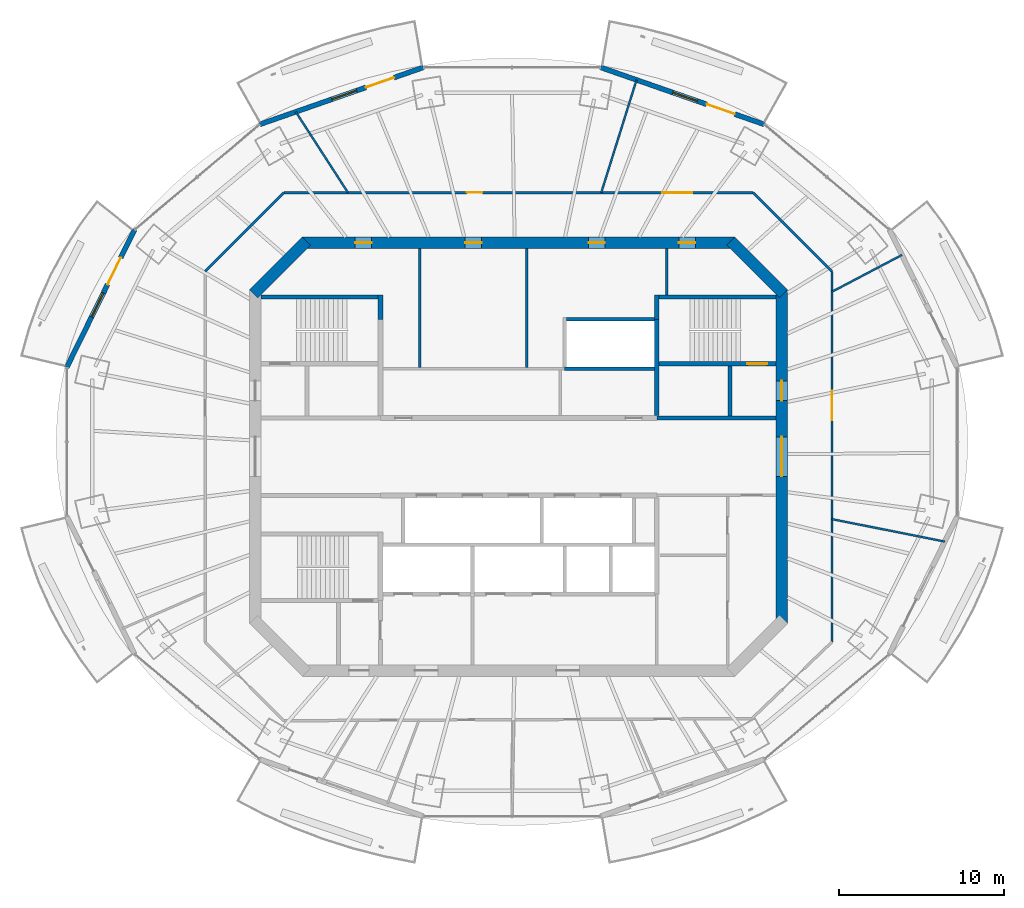
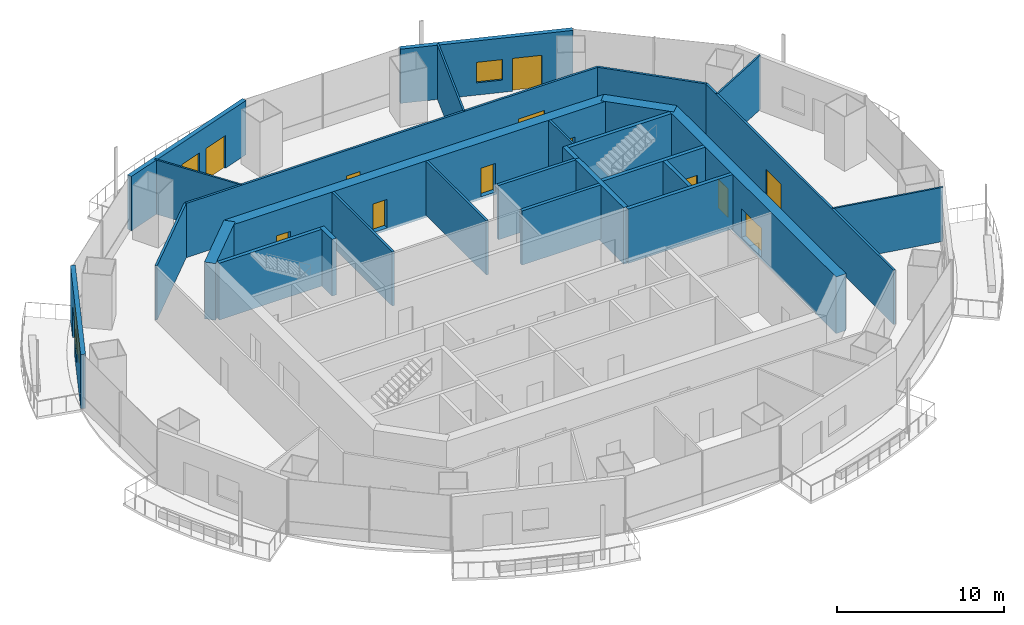
# One storey, part 10 of 16: 28 walls, 13 doors, 3 windows, 16 openings.
"""IFC4 building model written with IfcOpenShell, lengths in metres."""

from ifc_helpers import new_model, si_unit, direction, frame, frame_2d, origin, place, context, subcontext, project, spatial, rectangle, extrude, material, layer, layer_set, type_object, element, fill, save


model = new_model("IFC4")

# Units and contexts
model_context = context("Model", 3, precision=1e-05, world=origin(), true_north=direction((0.0, 1.0)))
body_context = subcontext(model_context, "Body", "Model", "MODEL_VIEW")
ifc_project = project(units=[si_unit("LENGTHUNIT", "METRE"), si_unit("AREAUNIT", "SQUARE_METRE"), si_unit("VOLUMEUNIT", "CUBIC_METRE"), si_unit("PLANEANGLEUNIT", "RADIAN"), si_unit("MASSUNIT", "GRAM", prefix="KILO")], contexts=[model_context])

# Site, building, storey
site_placement = place(None, origin())
site = spatial("IfcSite", under=ifc_project, at=site_placement, CompositionType="ELEMENT")
building_placement = place(site_placement, origin())
building = spatial("IfcBuilding", under=site, at=building_placement, Name="Marenthal Gate Tower", CompositionType="ELEMENT")
storey_placement = place(building_placement, frame((0.0, 0.0, 330.14990234375)))
storey = spatial("IfcBuildingStorey", under=building, at=storey_placement, Name="L74", CompositionType="ELEMENT", Elevation=330.14990234375)

# Wall, openings, doors
ifc_material_1 = material(Name="Concrete 60 MPa", Category="concrete")
ifc_layer_1 = layer(ifc_material_1, 0.699951171875)
ifc_layer_set_1 = layer_set([ifc_layer_1], Name="Core shear wall 700")
wall_type_1 = type_object("IfcWallType", Name="Core shear wall 700", PredefinedType="SHEAR", material=ifc_layer_set_1)
wall_1_placement = place(storey_placement, frame((16.0, -10.14501953125, -0.179931640625), z_axis=(0.0, 0.0, 1.0), x_axis=(0.0, 1.0, 0.0)))
wall_1 = element("IfcWall", 1, at=wall_1_placement, inside=storey, type_object=wall_type_1, Name="Core wall 02", PredefinedType="SHEAR", context=body_context, shape_type="SweptSolid", body=[
    extrude(rectangle(XDim=20.2900390625, YDim=0.699951171875, at=frame_2d((10.14501953125, 0.0))), origin(), (0.0, 0.0, 1.0), 4.150146484375),
])
opening_1_placement = place(wall_1_placement, frame((8.945068359375, 0.0, 0.179931640625)))
opening_1 = element("IfcOpeningElement", 2, at=opening_1_placement, cuts=wall_1, Name="Opening D003.02", PredefinedType="OPENING", context=body_context, shape_type="SweptSolid", body=[
    extrude(rectangle(XDim=2.39990234375, YDim=2.10009765625, at=frame_2d((1.199951171875, 1.050048828125))), frame((0.0, 0.35986328125, 0.0), z_axis=(0.0, -1.0, 0.0), x_axis=(1.0, 0.0, 0.0)), (0.0, 0.0, 1.0), 0.719970703125),
])
opening_2_placement = place(wall_1_placement, frame((13.544921875, 0.0, 0.179931640625)))
opening_2 = element("IfcOpeningElement", 3, at=opening_2_placement, cuts=wall_1, Name="Opening D001.05", PredefinedType="OPENING", context=body_context, shape_type="SweptSolid", body=[
    extrude(rectangle(XDim=1.199951171875, YDim=2.10009765625, at=frame_2d((0.60009765625, 1.050048828125))), frame((0.0, 0.35986328125, 0.0), z_axis=(0.0, -1.0, 0.0), x_axis=(1.0, 0.0, 0.0)), (0.0, 0.0, 1.0), 0.719970703125),
])
ifc_material_2 = material(Name="Steel fire door", Category="steel")
door_type_1 = type_object("IfcDoorType", Name="Double fire door FD 45 2400 x 2100", OperationType="DOUBLE_DOOR_SINGLE_SWING", PredefinedType="DOOR", material=ifc_material_2)
door_1_placement = place(opening_1_placement, origin())
door_1 = element("IfcDoor", 4, at=door_1_placement, inside=storey, type_object=door_type_1, Name="Door D003.02", OperationType="DOUBLE_DOOR_SINGLE_SWING", OverallHeight=2.10009765625, OverallWidth=2.39990234375, PredefinedType="DOOR", context=body_context, shape_type="SweptSolid", body=[
    extrude(rectangle(XDim=2.39990234375, YDim=2.10009765625, at=frame_2d((1.199951171875, 1.050048828125))), frame((0.0, 0.02490234375, 0.0), z_axis=(0.0, -1.0, 0.0), x_axis=(1.0, 0.0, 0.0)), (0.0, 0.0, 1.0), 0.050048828125),
])
fill(opening_1, door_1)
ifc_material_3 = material(Name="Steel fire door", Category="steel")
door_type_2 = type_object("IfcDoorType", Name="Fire door FD 90 1200 x 2100", OperationType="NOTDEFINED", PredefinedType="DOOR", material=ifc_material_3)
door_2_placement = place(opening_2_placement, origin())
door_2 = element("IfcDoor", 5, at=door_2_placement, inside=storey, type_object=door_type_2, Name="Door D001.05", OperationType="SINGLE_SWING_RIGHT", OverallHeight=2.10009765625, OverallWidth=1.199951171875, PredefinedType="DOOR", context=body_context, shape_type="SweptSolid", body=[
    extrude(rectangle(XDim=1.199951171875, YDim=2.10009765625, at=frame_2d((0.60009765625, 1.050048828125))), frame((0.0, 0.02490234375, 0.0), z_axis=(0.0, -1.0, 0.0), x_axis=(1.0, 0.0, 0.0)), (0.0, 0.0, 1.0), 0.050048828125),
])
fill(opening_2, door_2)

# Wall
wall_2_placement = place(storey_placement, frame((16.1025390625, 9.8974609375, -0.179931640625), z_axis=(0.0, 0.0, 1.0), x_axis=(-0.707106781187, 0.707106781187, 0.0)))
element("IfcWall", 6, at=wall_2_placement, inside=storey, type_object=wall_type_1, Name="Core wall 03", PredefinedType="SHEAR", context=body_context, shape_type="SweptSolid", body=[
    extrude(rectangle(XDim=4.53271484375, YDim=0.699951171875, at=frame_2d((2.266357421875, 0.0))), origin(), (0.0, 0.0, 1.0), 4.150146484375),
])

# Wall, openings, doors
wall_3_placement = place(storey_placement, frame((13.14501953125, 13.0, -0.179931640625), z_axis=(0.0, 0.0, 1.0), x_axis=(-1.0, 0.0, 0.0)))
wall_3 = element("IfcWall", 7, at=wall_3_placement, inside=storey, type_object=wall_type_1, Name="Core wall 04", PredefinedType="SHEAR", context=body_context, shape_type="SweptSolid", body=[
    extrude(rectangle(XDim=26.2900390625, YDim=0.699951171875, at=frame_2d((13.14501953125, 0.0))), origin(), (0.0, 0.0, 1.0), 4.150146484375),
])
opening_3_placement = place(wall_3_placement, frame((22.07275390625, 0.0, 0.179931640625)))
opening_3 = element("IfcOpeningElement", 8, at=opening_3_placement, cuts=wall_3, Name="Opening D005.03", PredefinedType="OPENING", context=body_context, shape_type="SweptSolid", body=[
    extrude(rectangle(XDim=1.0, YDim=2.10009765625, at=frame_2d((0.5, 1.050048828125))), frame((0.0, 0.35986328125, 0.0), z_axis=(0.0, -1.0, 0.0), x_axis=(1.0, 0.0, 0.0)), (0.0, 0.0, 1.0), 0.719970703125),
])
opening_4_placement = place(wall_3_placement, frame((15.39501953125, 0.0, 0.179931640625)))
opening_4 = element("IfcOpeningElement", 9, at=opening_4_placement, cuts=wall_3, Name="Opening D005.04", PredefinedType="OPENING", context=body_context, shape_type="SweptSolid", body=[
    extrude(rectangle(XDim=1.0, YDim=2.10009765625, at=frame_2d((0.5, 1.050048828125))), frame((0.0, 0.35986328125, 0.0), z_axis=(0.0, -1.0, 0.0), x_axis=(1.0, 0.0, 0.0)), (0.0, 0.0, 1.0), 0.719970703125),
])
opening_5_placement = place(wall_3_placement, frame((7.89501953125, 0.0, 0.179931640625)))
opening_5 = element("IfcOpeningElement", 10, at=opening_5_placement, cuts=wall_3, Name="Opening D005.05", PredefinedType="OPENING", context=body_context, shape_type="SweptSolid", body=[
    extrude(rectangle(XDim=1.0, YDim=2.10009765625, at=frame_2d((0.5, 1.050048828125))), frame((0.0, 0.35986328125, 0.0), z_axis=(0.0, -1.0, 0.0), x_axis=(1.0, 0.0, 0.0)), (0.0, 0.0, 1.0), 0.719970703125),
])
opening_6_placement = place(wall_3_placement, frame((2.39990234375, 0.0, 0.179931640625)))
opening_6 = element("IfcOpeningElement", 11, at=opening_6_placement, cuts=wall_3, Name="Opening D005.06", PredefinedType="OPENING", context=body_context, shape_type="SweptSolid", body=[
    extrude(rectangle(XDim=1.0, YDim=2.10009765625, at=frame_2d((0.5, 1.050048828125))), frame((0.0, 0.35986328125, 0.0), z_axis=(0.0, -1.0, 0.0), x_axis=(1.0, 0.0, 0.0)), (0.0, 0.0, 1.0), 0.719970703125),
])
ifc_material_4 = material(Name="Steel fire door", Category="steel")
door_type_3 = type_object("IfcDoorType", Name="Fire door FD 45 1000 x 2100", OperationType="NOTDEFINED", PredefinedType="DOOR", material=ifc_material_4)
door_3_placement = place(opening_3_placement, origin())
door_3 = element("IfcDoor", 12, at=door_3_placement, inside=storey, type_object=door_type_3, Name="Door D005.03", OperationType="SINGLE_SWING_RIGHT", OverallHeight=2.10009765625, OverallWidth=1.0, PredefinedType="DOOR", context=body_context, shape_type="SweptSolid", body=[
    extrude(rectangle(XDim=1.0, YDim=2.10009765625, at=frame_2d((0.5, 1.050048828125))), frame((0.0, 0.02490234375, 0.0), z_axis=(0.0, -1.0, 0.0), x_axis=(1.0, 0.0, 0.0)), (0.0, 0.0, 1.0), 0.050048828125),
])
fill(opening_3, door_3)
door_4_placement = place(opening_4_placement, origin())
door_4 = element("IfcDoor", 13, at=door_4_placement, inside=storey, type_object=door_type_3, Name="Door D005.04", OperationType="SINGLE_SWING_RIGHT", OverallHeight=2.10009765625, OverallWidth=1.0, PredefinedType="DOOR", context=body_context, shape_type="SweptSolid", body=[
    extrude(rectangle(XDim=1.0, YDim=2.10009765625, at=frame_2d((0.5, 1.050048828125))), frame((0.0, 0.02490234375, 0.0), z_axis=(0.0, -1.0, 0.0), x_axis=(1.0, 0.0, 0.0)), (0.0, 0.0, 1.0), 0.050048828125),
])
fill(opening_4, door_4)
door_5_placement = place(opening_5_placement, origin())
door_5 = element("IfcDoor", 14, at=door_5_placement, inside=storey, type_object=door_type_3, Name="Door D005.05", OperationType="SINGLE_SWING_RIGHT", OverallHeight=2.10009765625, OverallWidth=1.0, PredefinedType="DOOR", context=body_context, shape_type="SweptSolid", body=[
    extrude(rectangle(XDim=1.0, YDim=2.10009765625, at=frame_2d((0.5, 1.050048828125))), frame((0.0, 0.02490234375, 0.0), z_axis=(0.0, -1.0, 0.0), x_axis=(1.0, 0.0, 0.0)), (0.0, 0.0, 1.0), 0.050048828125),
])
fill(opening_5, door_5)
door_6_placement = place(opening_6_placement, origin())
door_6 = element("IfcDoor", 15, at=door_6_placement, inside=storey, type_object=door_type_3, Name="Door D005.06", OperationType="SINGLE_SWING_RIGHT", OverallHeight=2.10009765625, OverallWidth=1.0, PredefinedType="DOOR", context=body_context, shape_type="SweptSolid", body=[
    extrude(rectangle(XDim=1.0, YDim=2.10009765625, at=frame_2d((0.5, 1.050048828125))), frame((0.0, 0.02490234375, 0.0), z_axis=(0.0, -1.0, 0.0), x_axis=(1.0, 0.0, 0.0)), (0.0, 0.0, 1.0), 0.050048828125),
])
fill(opening_6, door_6)

# Walls
wall_4_placement = place(storey_placement, frame((-12.8974609375, 13.1025390625, -0.179931640625), z_axis=(0.0, 0.0, 1.0), x_axis=(-0.707106781187, -0.707106781187, 0.0)))
element("IfcWall", 16, at=wall_4_placement, inside=storey, type_object=wall_type_1, Name="Core wall 05", PredefinedType="SHEAR", context=body_context, shape_type="SweptSolid", body=[
    extrude(rectangle(XDim=4.53271484375, YDim=0.699951171875, at=frame_2d((2.266357421875, 0.0))), origin(), (0.0, 0.0, 1.0), 4.150146484375),
])
ifc_material_5 = material(Name="Concrete 50 MPa", Category="concrete")
ifc_layer_2 = layer(ifc_material_5, 0.300048828125)
ifc_layer_set_2 = layer_set([ifc_layer_2], Name="Hoistway shear wall 300")
wall_type_2 = type_object("IfcWallType", Name="Hoistway shear wall 300", PredefinedType="SHEAR", material=ifc_layer_set_2)
wall_5_placement = place(storey_placement, frame((8.39990234375, 2.5, -0.179931640625), z_axis=(0.0, 0.0, 1.0), x_axis=(0.0, 1.0, 0.0)))
element("IfcWall", 17, at=wall_5_placement, inside=storey, type_object=wall_type_2, Name="Hoistway wall 47", PredefinedType="SHEAR", context=body_context, shape_type="SweptSolid", body=[
    extrude(rectangle(XDim=5.85009765625, YDim=0.300048828125, at=frame_2d((2.925048828125, 0.0))), origin(), (0.0, 0.0, 1.0), 4.150146484375),
])
ifc_material_6 = material(Name="Concrete 40 MPa", Category="concrete")
ifc_layer_3 = layer(ifc_material_6, 0.219970703125)
ifc_layer_set_3 = layer_set([ifc_layer_3], Name="Hoistway wall 220")
wall_type_3 = type_object("IfcWallType", Name="Hoistway wall 220", PredefinedType="STANDARD", material=ifc_layer_set_3)
wall_6_placement = place(storey_placement, frame((2.800048828125, 5.35009765625, 0.0), z_axis=(0.0, 0.0, 1.0), x_axis=(1.0, 0.0, 0.0)))
element("IfcWall", 18, at=wall_6_placement, inside=storey, type_object=wall_type_3, Name="Hoistway wall 22", PredefinedType="STANDARD", context=body_context, shape_type="SweptSolid", body=[
    extrude(rectangle(XDim=5.449951171875, YDim=0.219970703125, at=frame_2d((2.72509765625, 0.0))), origin(), (0.0, 0.0, 1.0), 3.97021484375),
])
wall_7_placement = place(storey_placement, frame((2.909912109375, 8.35009765625, 0.0), z_axis=(0.0, 0.0, 1.0), x_axis=(1.0, 0.0, 0.0)))
element("IfcWall", 19, at=wall_7_placement, inside=storey, type_object=wall_type_3, Name="Hoistway wall 25", PredefinedType="STANDARD", context=body_context, shape_type="SweptSolid", body=[
    extrude(rectangle(XDim=5.340087890625, YDim=0.219970703125, at=frame_2d((2.669921875, 0.0))), origin(), (0.0, 0.0, 1.0), 3.97021484375),
])
ifc_material_7 = material(Name="Gypsum board on steel studs", Category="steel")
ifc_layer_4 = layer(ifc_material_7, 0.1201171875)
ifc_layer_set_4 = layer_set([ifc_layer_4], Name="Partition 120")
wall_type_4 = type_object("IfcWallType", Name="Partition 120", PredefinedType="PARTITIONING", material=ifc_layer_set_4)
wall_8_placement = place(storey_placement, frame((-10.37060546875, 16.050048828125, 0.0), z_axis=(0.0, 0.0, 1.0), x_axis=(-0.542726268586, 0.839909636441, 0.0)))
element("IfcWall", 20, at=wall_8_placement, inside=storey, type_object=wall_type_4, Name="Partition wall 57", PredefinedType="PARTITIONING", context=body_context, shape_type="SweptSolid", body=[
    extrude(rectangle(XDim=5.843505859375, YDim=0.1201171875, at=frame_2d((2.921875, 0.0))), origin(), (0.0, 0.0, 1.0), 3.97021484375),
])
wall_9_placement = place(storey_placement, frame((5.025634765625, 16.050048828125, 0.0), z_axis=(0.0, 0.0, 1.0), x_axis=(0.29884634182, 0.954301243833, 0.0)))
element("IfcWall", 21, at=wall_9_placement, inside=storey, type_object=wall_type_4, Name="Partition wall 61", PredefinedType="PARTITIONING", context=body_context, shape_type="SweptSolid", body=[
    extrude(rectangle(XDim=7.1767578125, YDim=0.1201171875, at=frame_2d((3.58837890625, 0.0))), origin(), (0.0, 0.0, 1.0), 3.97021484375),
])
wall_10_placement = place(storey_placement, frame((19.050048828125, -3.79736328125, 0.0), z_axis=(0.0, 0.0, 1.0), x_axis=(0.980706745877, -0.195484727258, 0.0)))
element("IfcWall", 22, at=wall_10_placement, inside=storey, type_object=wall_type_4, Name="Partition wall 67", PredefinedType="PARTITIONING", context=body_context, shape_type="SweptSolid", body=[
    extrude(rectangle(XDim=6.989990234375, YDim=0.1201171875, at=frame_2d((3.4951171875, 0.0))), origin(), (0.0, 0.0, 1.0), 3.97021484375),
])
wall_11_placement = place(storey_placement, frame((19.050048828125, 10.021728515625, 0.0), z_axis=(0.0, 0.0, 1.0), x_axis=(0.885000946398, 0.465589223323, 0.0)))
element("IfcWall", 23, at=wall_11_placement, inside=storey, type_object=wall_type_4, Name="Partition wall 68", PredefinedType="PARTITIONING", context=body_context, shape_type="SweptSolid", body=[
    extrude(rectangle(XDim=4.800537109375, YDim=0.1201171875, at=frame_2d((2.400390625, 0.0))), origin(), (0.0, 0.0, 1.0), 3.97021484375),
])
ifc_material_8 = material(Name="Gypsum board on steel studs", Category="steel")
ifc_layer_5 = layer(ifc_material_8, 0.14990234375)
ifc_layer_set_5 = layer_set([ifc_layer_5], Name="Partition 150")
wall_type_5 = type_object("IfcWallType", Name="Partition 150", PredefinedType="PARTITIONING", material=ifc_layer_set_5)
for number, where, z_axis, x_axis, name in (
    (24, (-6.0, 5.425048828125, 0.0), (0.0, 0.0, 1.0), (0.0, 1.0, 0.0), "Partition wall 35"),
    (25, (0.5, 5.425048828125, 0.0), (0.0, 0.0, 1.0), (0.0, 1.0, 0.0), "Partition wall 38"),
):
    element("IfcWall", number, at=place(storey_placement, frame(where, z_axis=z_axis, x_axis=x_axis)), inside=storey, type_object=wall_type_5, Name=name, PredefinedType="PARTITIONING", context=body_context, shape_type="SweptSolid", body=[
        extrude(rectangle(XDim=7.224853515625, YDim=0.14990234375, at=frame_2d((3.6123046875, 0.0))), origin(), (0.0, 0.0, 1.0), 3.97021484375),
    ])
wall_12_placement = place(storey_placement, frame((9.0, 9.824951171875, 0.0), z_axis=(0.0, 0.0, 1.0), x_axis=(0.0, 1.0, 0.0)))
element("IfcWall", 26, at=wall_12_placement, inside=storey, type_object=wall_type_5, Name="Partition wall 49", PredefinedType="PARTITIONING", context=body_context, shape_type="SweptSolid", body=[
    extrude(rectangle(XDim=2.824951171875, YDim=0.14990234375, at=frame_2d((1.41259765625, 0.0))), origin(), (0.0, 0.0, 1.0), 3.97021484375),
])
wall_13_placement = place(storey_placement, frame((-19.050048828125, 11.263427734375, 0.0), z_axis=(0.0, 0.0, 1.0), x_axis=(0.707106781187, 0.707106781187, 0.0)))
element("IfcWall", 27, at=wall_13_placement, inside=storey, type_object=wall_type_5, Name="Partition wall 54", PredefinedType="PARTITIONING", context=body_context, shape_type="SweptSolid", body=[
    extrude(rectangle(XDim=6.769287109375, YDim=0.14990234375, at=frame_2d((3.384765625, 0.0))), origin(), (0.0, 0.0, 1.0), 3.97021484375),
])

# Wall, openings, doors
wall_14_placement = place(storey_placement, frame((-14.263427734375, 16.050048828125, 0.0), z_axis=(0.0, 0.0, 1.0), x_axis=(1.0, 0.0, 0.0)))
wall_14 = element("IfcWall", 28, at=wall_14_placement, inside=storey, type_object=wall_type_5, Name="Partition wall 56", PredefinedType="PARTITIONING", context=body_context, shape_type="SweptSolid", body=[
    extrude(rectangle(XDim=28.52685546875, YDim=0.14990234375, at=frame_2d((14.263427734375, 0.0))), origin(), (0.0, 0.0, 1.0), 3.97021484375),
])
opening_7_placement = place(wall_14_placement, frame((23.008056640625, 0.0, 0.0)))
opening_7 = element("IfcOpeningElement", 29, at=opening_7_placement, cuts=wall_14, Name="Opening D014.01", PredefinedType="OPENING", context=body_context, shape_type="SweptSolid", body=[
    extrude(rectangle(XDim=1.800048828125, YDim=2.10009765625, at=frame_2d((0.89990234375, 1.050048828125))), frame((0.0, 0.0849609375, 0.0), z_axis=(0.0, -1.0, 0.0), x_axis=(1.0, 0.0, 0.0)), (0.0, 0.0, 1.0), 0.169921875),
])
opening_8_placement = place(wall_14_placement, frame((11.115966796875, 0.0, 0.0)))
opening_8 = element("IfcOpeningElement", 30, at=opening_8_placement, cuts=wall_14, Name="Opening D016.01", PredefinedType="OPENING", context=body_context, shape_type="SweptSolid", body=[
    extrude(rectangle(XDim=0.949951171875, YDim=2.10009765625, at=frame_2d((0.47509765625, 1.050048828125))), frame((0.0, 0.0849609375, 0.0), z_axis=(0.0, -1.0, 0.0), x_axis=(1.0, 0.0, 0.0)), (0.0, 0.0, 1.0), 0.169921875),
])
ifc_material_9 = material(Name="Timber door", Category="wood")
door_type_4 = type_object("IfcDoorType", Name="Door 950 x 2100", OperationType="NOTDEFINED", PredefinedType="DOOR", material=ifc_material_9)
door_7_placement = place(opening_8_placement, frame((0.949951171875, 0.0, 0.0), z_axis=(0.0, 0.0, 1.0), x_axis=(-1.0, 0.0, 0.0)))
door_7 = element("IfcDoor", 31, at=door_7_placement, inside=storey, type_object=door_type_4, Name="Door D016.01", OperationType="SINGLE_SWING_LEFT", OverallHeight=2.10009765625, OverallWidth=0.949951171875, PredefinedType="DOOR", context=body_context, shape_type="SweptSolid", body=[
    extrude(rectangle(XDim=0.949951171875, YDim=2.10009765625, at=frame_2d((0.47509765625, 1.050048828125))), frame((0.0, 0.02490234375, 0.0), z_axis=(0.0, -1.0, 0.0), x_axis=(1.0, 0.0, 0.0)), (0.0, 0.0, 1.0), 0.050048828125),
])
fill(opening_8, door_7)
ifc_material_10 = material(Name="Timber door", Category="wood")
door_type_5 = type_object("IfcDoorType", Name="Double door 1800 x 2100", OperationType="DOUBLE_DOOR_SINGLE_SWING", PredefinedType="DOOR", material=ifc_material_10)
door_8_placement = place(opening_7_placement, origin())
door_8 = element("IfcDoor", 32, at=door_8_placement, inside=storey, type_object=door_type_5, Name="Door D014.01", OperationType="DOUBLE_DOOR_SINGLE_SWING", OverallHeight=2.10009765625, OverallWidth=1.800048828125, PredefinedType="DOOR", context=body_context, shape_type="SweptSolid", body=[
    extrude(rectangle(XDim=1.800048828125, YDim=2.10009765625, at=frame_2d((0.89990234375, 1.050048828125))), frame((0.0, 0.02490234375, 0.0), z_axis=(0.0, -1.0, 0.0), x_axis=(1.0, 0.0, 0.0)), (0.0, 0.0, 1.0), 0.050048828125),
])
fill(opening_7, door_8)

# Wall
wall_15_placement = place(storey_placement, frame((14.263427734375, 16.050048828125, 0.0), z_axis=(0.0, 0.0, 1.0), x_axis=(0.707106781187, -0.707106781187, 0.0)))
element("IfcWall", 33, at=wall_15_placement, inside=storey, type_object=wall_type_5, Name="Partition wall 65", PredefinedType="PARTITIONING", context=body_context, shape_type="SweptSolid", body=[
    extrude(rectangle(XDim=6.769287109375, YDim=0.14990234375, at=frame_2d((3.384765625, 0.0))), origin(), (0.0, 0.0, 1.0), 3.97021484375),
])

# Wall, opening, door
wall_16_placement = place(storey_placement, frame((19.050048828125, 11.263427734375, 0.0), z_axis=(0.0, 0.0, 1.0), x_axis=(0.0, -1.0, 0.0)))
wall_16 = element("IfcWall", 34, at=wall_16_placement, inside=storey, type_object=wall_type_5, Name="Partition wall 69", PredefinedType="PARTITIONING", context=body_context, shape_type="SweptSolid", body=[
    extrude(rectangle(XDim=22.52685546875, YDim=0.14990234375, at=frame_2d((11.263427734375, 0.0))), origin(), (0.0, 0.0, 1.0), 3.97021484375),
])
opening_9_placement = place(wall_16_placement, frame((7.2509765625, 0.0, 0.0)))
opening_9 = element("IfcOpeningElement", 35, at=opening_9_placement, cuts=wall_16, Name="Opening D014.03", PredefinedType="OPENING", context=body_context, shape_type="SweptSolid", body=[
    extrude(rectangle(XDim=1.800048828125, YDim=2.10009765625, at=frame_2d((0.89990234375, 1.050048828125))), frame((0.0, 0.0849609375, 0.0), z_axis=(0.0, -1.0, 0.0), x_axis=(1.0, 0.0, 0.0)), (0.0, 0.0, 1.0), 0.169921875),
])
door_9_placement = place(opening_9_placement, origin())
door_9 = element("IfcDoor", 36, at=door_9_placement, inside=storey, type_object=door_type_5, Name="Door D014.03", OperationType="DOUBLE_DOOR_SINGLE_SWING", OverallHeight=2.10009765625, OverallWidth=1.800048828125, PredefinedType="DOOR", context=body_context, shape_type="SweptSolid", body=[
    extrude(rectangle(XDim=1.800048828125, YDim=2.10009765625, at=frame_2d((0.89990234375, 1.050048828125))), frame((0.0, 0.02490234375, 0.0), z_axis=(0.0, -1.0, 0.0), x_axis=(1.0, 0.0, 0.0)), (0.0, 0.0, 1.0), 0.050048828125),
])
fill(opening_9, door_9)

# Walls
ifc_material_11 = material(Name="Concrete 40 MPa", Category="concrete")
ifc_layer_6 = layer(ifc_material_11, 0.25)
ifc_layer_set_6 = layer_set([ifc_layer_6], Name="Stair enclosure wall 250")
wall_type_6 = type_object("IfcWallType", Name="Stair enclosure wall 250", PredefinedType="STANDARD", material=ifc_layer_set_6)
wall_17_placement = place(storey_placement, frame((8.39990234375, 2.35009765625, 0.0), z_axis=(0.0, 0.0, 1.0), x_axis=(1.0, 0.0, 0.0)))
element("IfcWall", 37, at=wall_17_placement, inside=storey, type_object=wall_type_6, Name="Stair wall 20", PredefinedType="STANDARD", context=body_context, shape_type="SweptSolid", body=[
    extrude(rectangle(XDim=7.25, YDim=0.25, at=frame_2d((3.625, 0.0))), origin(), (0.0, 0.0, 1.0), 3.97021484375),
])
wall_18_placement = place(storey_placement, frame((12.85009765625, 2.47509765625, 0.0), z_axis=(0.0, 0.0, 1.0), x_axis=(0.0, 1.0, 0.0)))
element("IfcWall", 38, at=wall_18_placement, inside=storey, type_object=wall_type_6, Name="Stair wall 51", PredefinedType="STANDARD", context=body_context, shape_type="SweptSolid", body=[
    extrude(rectangle(XDim=3.0498046875, YDim=0.25, at=frame_2d((1.52490234375, 0.0))), origin(), (0.0, 0.0, 1.0), 3.97021484375),
])

# Wall, opening, door
ifc_material_12 = material(Name="Concrete 50 MPa", Category="concrete")
ifc_layer_7 = layer(ifc_material_12, 0.25)
ifc_layer_set_7 = layer_set([ifc_layer_7], Name="Stair shear wall 250")
wall_type_7 = type_object("IfcWallType", Name="Stair shear wall 250", PredefinedType="SHEAR", material=ifc_layer_set_7)
wall_19_placement = place(storey_placement, frame((8.550048828125, 5.64990234375, -0.179931640625), z_axis=(0.0, 0.0, 1.0), x_axis=(1.0, 0.0, 0.0)))
wall_19 = element("IfcWall", 39, at=wall_19_placement, inside=storey, type_object=wall_type_7, Name="Stair wall 24", PredefinedType="SHEAR", context=body_context, shape_type="SweptSolid", body=[
    extrude(rectangle(XDim=7.099853515625, YDim=0.25, at=frame_2d((3.5498046875, 0.0))), origin(), (0.0, 0.0, 1.0), 4.150146484375),
])
opening_10_placement = place(wall_19_placement, frame((5.35009765625, 0.0, 0.179931640625)))
opening_10 = element("IfcOpeningElement", 40, at=opening_10_placement, cuts=wall_19, Name="Opening D001.02", PredefinedType="OPENING", context=body_context, shape_type="SweptSolid", body=[
    extrude(rectangle(XDim=1.199951171875, YDim=2.10009765625, at=frame_2d((0.60009765625, 1.050048828125))), frame((0.0, 0.135009765625, 0.0), z_axis=(0.0, -1.0, 0.0), x_axis=(1.0, 0.0, 0.0)), (0.0, 0.0, 1.0), 0.27001953125),
])
door_10_placement = place(opening_10_placement, origin())
door_10 = element("IfcDoor", 41, at=door_10_placement, inside=storey, type_object=door_type_2, Name="Door D001.02", OperationType="SINGLE_SWING_RIGHT", OverallHeight=2.10009765625, OverallWidth=1.199951171875, PredefinedType="DOOR", context=body_context, shape_type="SweptSolid", body=[
    extrude(rectangle(XDim=1.199951171875, YDim=2.10009765625, at=frame_2d((0.60009765625, 1.050048828125))), frame((0.0, 0.02490234375, 0.0), z_axis=(0.0, -1.0, 0.0), x_axis=(1.0, 0.0, 0.0)), (0.0, 0.0, 1.0), 0.050048828125),
])
fill(opening_10, door_10)

# Walls
for number, where, z_axis, x_axis, name in (
    (42, (-15.64990234375, 9.699951171875, -0.179931640625), (0.0, 0.0, 1.0), (1.0, 0.0, 0.0), "Stair wall 26"),
    (43, (8.550048828125, 9.699951171875, -0.179931640625), (0.0, 0.0, 1.0), (1.0, 0.0, 0.0), "Stair wall 27"),
):
    element("IfcWall", number, at=place(storey_placement, frame(where, z_axis=z_axis, x_axis=x_axis)), inside=storey, type_object=wall_type_7, Name=name, PredefinedType="SHEAR", context=body_context, shape_type="SweptSolid", body=[
        extrude(rectangle(XDim=7.099853515625, YDim=0.25, at=frame_2d((3.5498046875, 0.0))), origin(), (0.0, 0.0, 1.0), 4.150146484375),
    ])
ifc_material_13 = material(Name="Concrete 50 MPa", Category="concrete")
ifc_layer_8 = layer(ifc_material_13, 0.300048828125)
ifc_layer_set_8 = layer_set([ifc_layer_8], Name="Stair shear wall 300")
wall_type_8 = type_object("IfcWallType", Name="Stair shear wall 300", PredefinedType="SHEAR", material=ifc_layer_set_8)
for number, where, z_axis, x_axis, name in (
    (44, (-8.39990234375, 8.35009765625, -0.179931640625), (0.0, 0.0, 1.0), (0.0, 1.0, 0.0), "Stair wall 33"),
    (45, (8.39990234375, 8.35009765625, -0.179931640625), (0.0, 0.0, 1.0), (0.0, 1.0, 0.0), "Stair wall 48"),
):
    element("IfcWall", number, at=place(storey_placement, frame(where, z_axis=z_axis, x_axis=x_axis)), inside=storey, type_object=wall_type_8, Name=name, PredefinedType="SHEAR", context=body_context, shape_type="SweptSolid", body=[
        extrude(rectangle(XDim=1.474853515625, YDim=0.300048828125, at=frame_2d((0.7373046875, 0.0))), origin(), (0.0, 0.0, 1.0), 4.150146484375),
    ])

# Wall, openings, door, window
ifc_material_14 = material(Name="Terracotta cladding on insulated concrete-block backing", Category="masonry")
ifc_layer_9 = layer(ifc_material_14, 0.300048828125)
ifc_layer_set_9 = layer_set([ifc_layer_9], Name="Terracotta facade wall 300")
wall_type_9 = type_object("IfcWallType", Name="Terracotta facade wall 300", PredefinedType="SOLIDWALL", material=ifc_layer_set_9)
wall_20_placement = place(storey_placement, frame((14.92919921875, 20.19580078125, 0.0), z_axis=(0.0, 0.0, 1.0), x_axis=(-0.944327184146, 0.329007855959, 0.0)))
wall_20 = element("IfcWall", 46, at=wall_20_placement, inside=storey, type_object=wall_type_9, Name="Terracotta facade wall L74 bay 3", PredefinedType="SOLIDWALL", context=body_context, shape_type="SweptSolid", body=[
    extrude(rectangle(XDim=10.53271484375, YDim=0.300048828125, at=frame_2d((5.266357421875, 0.0))), origin(), (0.0, 0.0, 1.0), 3.97021484375),
])
opening_11_placement = place(wall_20_placement, frame((1.89990234375, 0.0, 0.0)))
opening_11 = element("IfcOpeningElement", 47, at=opening_11_placement, cuts=wall_20, Name="Opening BD-L74-03", PredefinedType="OPENING", context=body_context, shape_type="SweptSolid", body=[
    extrude(rectangle(XDim=1.800048828125, YDim=2.39990234375, at=frame_2d((0.89990234375, 1.199951171875))), frame((0.0, 0.16015625, 0.0), z_axis=(0.0, -1.0, 0.0), x_axis=(1.0, 0.0, 0.0)), (0.0, 0.0, 1.0), 0.320068359375),
])
opening_12_placement = place(wall_20_placement, frame((4.300048828125, 0.0, 0.89990234375)))
opening_12 = element("IfcOpeningElement", 48, at=opening_12_placement, cuts=wall_20, Name="Opening WN3-L74-03", PredefinedType="OPENING", context=body_context, shape_type="SweptSolid", body=[
    extrude(rectangle(XDim=1.60009765625, YDim=1.5, at=frame_2d((0.800048828125, 0.75))), frame((0.0, 0.16015625, 0.0), z_axis=(0.0, -1.0, 0.0), x_axis=(1.0, 0.0, 0.0)), (0.0, 0.0, 1.0), 0.320068359375),
])
ifc_material_15 = material(Name="Aluminium and glass", Category="aluminium")
door_type_6 = type_object("IfcDoorType", Name="Balcony door 1800x2400", OperationType="DOUBLE_DOOR_SINGLE_SWING", PredefinedType="DOOR", material=ifc_material_15)
door_11_placement = place(opening_11_placement, origin())
door_11 = element("IfcDoor", 49, at=door_11_placement, inside=storey, type_object=door_type_6, Name="Balcony door L74 bay 3", OperationType="SINGLE_SWING_LEFT", OverallHeight=2.39990234375, OverallWidth=1.800048828125, PredefinedType="DOOR", context=body_context, shape_type="SweptSolid", body=[
    extrude(rectangle(XDim=1.800048828125, YDim=2.39990234375, at=frame_2d((0.89990234375, 1.199951171875))), frame((0.0, 0.02490234375, 0.0), z_axis=(0.0, -1.0, 0.0), x_axis=(1.0, 0.0, 0.0)), (0.0, 0.0, 1.0), 0.050048828125),
])
fill(opening_11, door_11)
ifc_material_16 = material(Name="Aluminium and glass", Category="aluminium")
window_type = type_object("IfcWindowType", Name="Window 1600x1500", PartitioningType="DOUBLE_PANEL_VERTICAL", PredefinedType="WINDOW", material=ifc_material_16)
window_1_placement = place(opening_12_placement, origin())
window_1 = element("IfcWindow", 50, at=window_1_placement, inside=storey, type_object=window_type, Name="Window L74 bay 3", OverallHeight=1.5, OverallWidth=1.60009765625, PartitioningType="SINGLE_PANEL", PredefinedType="WINDOW", context=body_context, shape_type="SweptSolid", body=[
    extrude(rectangle(XDim=1.60009765625, YDim=1.5, at=frame_2d((0.800048828125, 0.75))), frame((0.0, 0.030029296875, 0.0), z_axis=(0.0, -1.0, 0.0), x_axis=(1.0, 0.0, 0.0)), (0.0, 0.0, 1.0), 0.06005859375),
])
fill(opening_12, window_1)

wall_21_placement = place(storey_placement, frame((-5.782958984375, 23.6611328125, 0.0), z_axis=(0.0, 0.0, 1.0), x_axis=(-0.944327184146, -0.329007855959, 0.0)))
wall_21 = element("IfcWall", 51, at=wall_21_placement, inside=storey, type_object=wall_type_9, Name="Terracotta facade wall L74 bay 5", PredefinedType="SOLIDWALL", context=body_context, shape_type="SweptSolid", body=[
    extrude(rectangle(XDim=10.53271484375, YDim=0.300048828125, at=frame_2d((5.266357421875, 0.0))), origin(), (0.0, 0.0, 1.0), 3.97021484375),
])
opening_13_placement = place(wall_21_placement, frame((1.89990234375, 0.0, 0.0)))
opening_13 = element("IfcOpeningElement", 52, at=opening_13_placement, cuts=wall_21, Name="Opening BD-L74-05", PredefinedType="OPENING", context=body_context, shape_type="SweptSolid", body=[
    extrude(rectangle(XDim=1.800048828125, YDim=2.39990234375, at=frame_2d((0.89990234375, 1.199951171875))), frame((0.0, 0.16015625, 0.0), z_axis=(0.0, -1.0, 0.0), x_axis=(1.0, 0.0, 0.0)), (0.0, 0.0, 1.0), 0.320068359375),
])
opening_14_placement = place(wall_21_placement, frame((4.300048828125, 0.0, 0.89990234375)))
opening_14 = element("IfcOpeningElement", 53, at=opening_14_placement, cuts=wall_21, Name="Opening WN3-L74-05", PredefinedType="OPENING", context=body_context, shape_type="SweptSolid", body=[
    extrude(rectangle(XDim=1.60009765625, YDim=1.5, at=frame_2d((0.800048828125, 0.75))), frame((0.0, 0.16015625, 0.0), z_axis=(0.0, -1.0, 0.0), x_axis=(1.0, 0.0, 0.0)), (0.0, 0.0, 1.0), 0.320068359375),
])
door_12_placement = place(opening_13_placement, origin())
door_12 = element("IfcDoor", 54, at=door_12_placement, inside=storey, type_object=door_type_6, Name="Balcony door L74 bay 5", OperationType="SINGLE_SWING_LEFT", OverallHeight=2.39990234375, OverallWidth=1.800048828125, PredefinedType="DOOR", context=body_context, shape_type="SweptSolid", body=[
    extrude(rectangle(XDim=1.800048828125, YDim=2.39990234375, at=frame_2d((0.89990234375, 1.199951171875))), frame((0.0, 0.02490234375, 0.0), z_axis=(0.0, -1.0, 0.0), x_axis=(1.0, 0.0, 0.0)), (0.0, 0.0, 1.0), 0.050048828125),
])
fill(opening_13, door_12)
window_2_placement = place(opening_14_placement, origin())
window_2 = element("IfcWindow", 55, at=window_2_placement, inside=storey, type_object=window_type, Name="Window L74 bay 5", OverallHeight=1.5, OverallWidth=1.60009765625, PartitioningType="SINGLE_PANEL", PredefinedType="WINDOW", context=body_context, shape_type="SweptSolid", body=[
    extrude(rectangle(XDim=1.60009765625, YDim=1.5, at=frame_2d((0.800048828125, 0.75))), frame((0.0, 0.030029296875, 0.0), z_axis=(0.0, -1.0, 0.0), x_axis=(1.0, 0.0, 0.0)), (0.0, 0.0, 1.0), 0.06005859375),
])
fill(opening_14, window_2)

wall_22_placement = place(storey_placement, frame((-23.341796875, 13.793212890625, 0.0), z_axis=(0.0, 0.0, 1.0), x_axis=(-0.441822778199, -0.897102353505, 0.0)))
wall_22 = element("IfcWall", 56, at=wall_22_placement, inside=storey, type_object=wall_type_9, Name="Terracotta facade wall L74 bay 7", PredefinedType="SOLIDWALL", context=body_context, shape_type="SweptSolid", body=[
    extrude(rectangle(XDim=9.3251953125, YDim=0.300048828125, at=frame_2d((4.66259765625, 0.0))), origin(), (0.0, 0.0, 1.0), 3.97021484375),
])
opening_15_placement = place(wall_22_placement, frame((1.89990234375, 0.0, 0.0)))
opening_15 = element("IfcOpeningElement", 57, at=opening_15_placement, cuts=wall_22, Name="Opening BD-L74-07", PredefinedType="OPENING", context=body_context, shape_type="SweptSolid", body=[
    extrude(rectangle(XDim=1.800048828125, YDim=2.39990234375, at=frame_2d((0.89990234375, 1.199951171875))), frame((0.0, 0.16015625, 0.0), z_axis=(0.0, -1.0, 0.0), x_axis=(1.0, 0.0, 0.0)), (0.0, 0.0, 1.0), 0.320068359375),
])
opening_16_placement = place(wall_22_placement, frame((4.300048828125, 0.0, 0.89990234375)))
opening_16 = element("IfcOpeningElement", 58, at=opening_16_placement, cuts=wall_22, Name="Opening WN3-L74-07", PredefinedType="OPENING", context=body_context, shape_type="SweptSolid", body=[
    extrude(rectangle(XDim=1.60009765625, YDim=1.5, at=frame_2d((0.800048828125, 0.75))), frame((0.0, 0.16015625, 0.0), z_axis=(0.0, -1.0, 0.0), x_axis=(1.0, 0.0, 0.0)), (0.0, 0.0, 1.0), 0.320068359375),
])
door_13_placement = place(opening_15_placement, origin())
door_13 = element("IfcDoor", 59, at=door_13_placement, inside=storey, type_object=door_type_6, Name="Balcony door L74 bay 7", OperationType="SINGLE_SWING_LEFT", OverallHeight=2.39990234375, OverallWidth=1.800048828125, PredefinedType="DOOR", context=body_context, shape_type="SweptSolid", body=[
    extrude(rectangle(XDim=1.800048828125, YDim=2.39990234375, at=frame_2d((0.89990234375, 1.199951171875))), frame((0.0, 0.02490234375, 0.0), z_axis=(0.0, -1.0, 0.0), x_axis=(1.0, 0.0, 0.0)), (0.0, 0.0, 1.0), 0.050048828125),
])
fill(opening_15, door_13)
window_3_placement = place(opening_16_placement, origin())
window_3 = element("IfcWindow", 60, at=window_3_placement, inside=storey, type_object=window_type, Name="Window L74 bay 7", OverallHeight=1.5, OverallWidth=1.60009765625, PartitioningType="SINGLE_PANEL", PredefinedType="WINDOW", context=body_context, shape_type="SweptSolid", body=[
    extrude(rectangle(XDim=1.60009765625, YDim=1.5, at=frame_2d((0.800048828125, 0.75))), frame((0.0, 0.030029296875, 0.0), z_axis=(0.0, -1.0, 0.0), x_axis=(1.0, 0.0, 0.0)), (0.0, 0.0, 1.0), 0.06005859375),
])
fill(opening_16, window_3)

save(model, "model.ifc")
